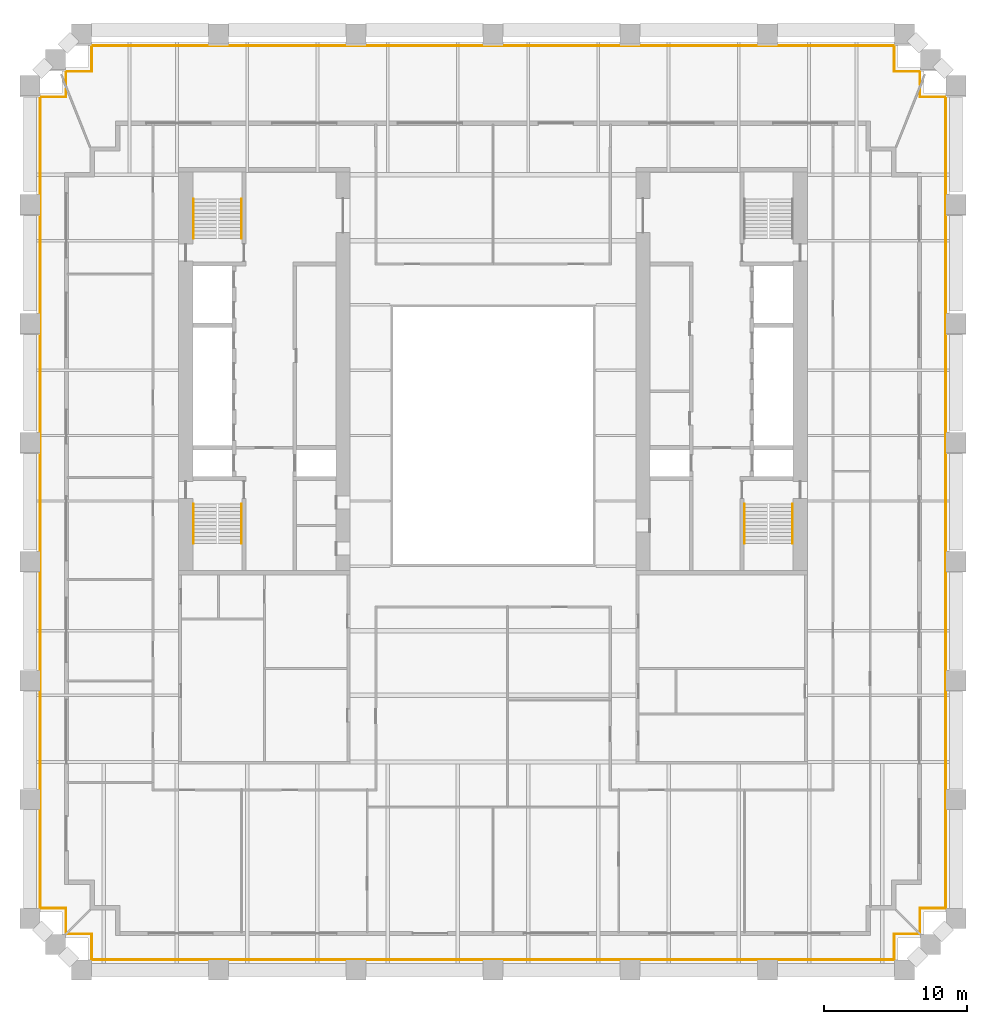
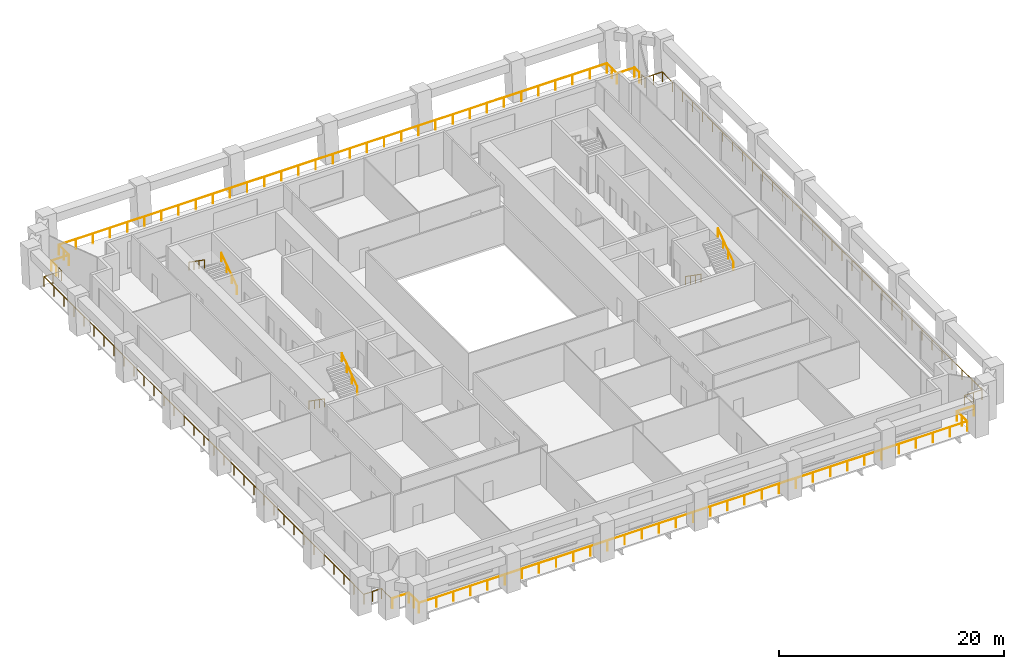
# One storey, part 9 of 10: 10 railings.
"""IFC4 building model written with IfcOpenShell, lengths in metres."""

from ifc_helpers import new_model, si_unit, direction, frame, origin, origin_2d, place, context, subcontext, project, spatial, circle, extrude, material, type_object, element, save


model = new_model("IFC4")

# Units and contexts
model_context = context("Model", 3, precision=1e-05, world=origin(), true_north=direction((0.0, 1.0)))
body_context = subcontext(model_context, "Body", "Model", "MODEL_VIEW")
ifc_project = project(units=[si_unit("LENGTHUNIT", "METRE"), si_unit("AREAUNIT", "SQUARE_METRE"), si_unit("VOLUMEUNIT", "CUBIC_METRE"), si_unit("PLANEANGLEUNIT", "RADIAN"), si_unit("MASSUNIT", "GRAM", prefix="KILO")], contexts=[model_context])

# Site, building, storey
site_placement = place(None, origin())
site = spatial("IfcSite", under=ifc_project, at=site_placement, CompositionType="ELEMENT")
building_placement = place(site_placement, origin())
building = spatial("IfcBuilding", under=site, at=building_placement, Name="Ogive Exchange Tower", CompositionType="ELEMENT")
storey_placement = place(building_placement, frame((0.0, 0.0, 73.199951171875)))
storey = spatial("IfcBuildingStorey", under=building, at=storey_placement, Name="L15", CompositionType="ELEMENT", Elevation=73.199951171875)

# Railings
ifc_material_1 = material(Name="Stainless steel 316", Category="steel")
railing_type_1 = type_object("IfcRailingType", Name="Guard 1100 stainless steel and glass", PredefinedType="GUARDRAIL", material=ifc_material_1)
railing_1_placement = place(storey_placement, frame((29.7880859375, -27.8798828125, -0.050048828125)))
element("IfcRailing", 1, at=railing_1_placement, inside=storey, type_object=railing_type_1, Name="Loggia guard 1", PredefinedType="GUARDRAIL", context=body_context, shape_type="SweptSolid", body=[
    extrude(circle(Radius=0.02392578125, at=origin_2d()), frame((0.0, 0.0, 1.076171875), z_axis=(-1.0, 0.0, 0.0), x_axis=(0.0, -1.0, 0.0)), (0.0, 0.0, 1.0), 1.7080078125),
    extrude(circle(Radius=0.02392578125, at=origin_2d()), frame((-1.7080078125, 0.0, 1.076171875), z_axis=(0.0, -1.0, 0.0), x_axis=(1.0, 0.0, 0.0)), (0.0, 0.0, 1.0), 1.800048828125),
    extrude(circle(Radius=0.02392578125, at=origin_2d()), frame((-1.7080078125, -1.800048828125, 1.076171875), z_axis=(-1.0, 0.0, 0.0), x_axis=(0.0, -1.0, 0.0)), (0.0, 0.0, 1.0), 56.16015625),
    extrude(circle(Radius=0.02392578125, at=origin_2d()), frame((-57.8681640625, -1.800048828125, 1.076171875), z_axis=(0.0, 1.0, 0.0), x_axis=(-1.0, 0.0, 0.0)), (0.0, 0.0, 1.0), 1.800048828125),
    extrude(circle(Radius=0.02392578125, at=origin_2d()), frame((-57.8681640625, 0.0, 1.076171875), z_axis=(-1.0, 0.0, 0.0), x_axis=(0.0, -1.0, 0.0)), (0.0, 0.0, 1.0), 1.7080078125),
    extrude(circle(Radius=0.02099609375, at=origin_2d()), origin(), (0.0, 0.0, 1.0), 1.052001953125),
    extrude(circle(Radius=0.02099609375, at=origin_2d()), frame((-1.7080078125, 0.0, 0.0)), (0.0, 0.0, 1.0), 1.052001953125),
    extrude(circle(Radius=0.02099609375, at=origin_2d()), frame((-1.7080078125, -0.89990234375, 0.0)), (0.0, 0.0, 1.0), 1.052001953125),
    extrude(circle(Radius=0.02099609375, at=origin_2d()), frame((-1.7080078125, -1.800048828125, 0.0)), (0.0, 0.0, 1.0), 1.052001953125),
    extrude(circle(Radius=0.02099609375, at=origin_2d()), frame((-3.462890625, -1.800048828125, 0.0)), (0.0, 0.0, 1.0), 1.052001953125),
    extrude(circle(Radius=0.02099609375, at=origin_2d()), frame((-5.218017578125, -1.800048828125, 0.0)), (0.0, 0.0, 1.0), 1.052001953125),
    extrude(circle(Radius=0.02099609375, at=origin_2d()), frame((-6.97314453125, -1.800048828125, 0.0)), (0.0, 0.0, 1.0), 1.052001953125),
    extrude(circle(Radius=0.02099609375, at=origin_2d()), frame((-8.72802734375, -1.800048828125, 0.0)), (0.0, 0.0, 1.0), 1.052001953125),
    extrude(circle(Radius=0.02099609375, at=origin_2d()), frame((-10.48291015625, -1.800048828125, 0.0)), (0.0, 0.0, 1.0), 1.052001953125),
    extrude(circle(Radius=0.02099609375, at=origin_2d()), frame((-12.238037109375, -1.800048828125, 0.0)), (0.0, 0.0, 1.0), 1.052001953125),
    extrude(circle(Radius=0.02099609375, at=origin_2d()), frame((-13.9931640625, -1.800048828125, 0.0)), (0.0, 0.0, 1.0), 1.052001953125),
    extrude(circle(Radius=0.02099609375, at=origin_2d()), frame((-15.748046875, -1.800048828125, 0.0)), (0.0, 0.0, 1.0), 1.052001953125),
    extrude(circle(Radius=0.02099609375, at=origin_2d()), frame((-17.5029296875, -1.800048828125, 0.0)), (0.0, 0.0, 1.0), 1.052001953125),
    extrude(circle(Radius=0.02099609375, at=origin_2d()), frame((-19.258056640625, -1.800048828125, 0.0)), (0.0, 0.0, 1.0), 1.052001953125),
    extrude(circle(Radius=0.02099609375, at=origin_2d()), frame((-21.01318359375, -1.800048828125, 0.0)), (0.0, 0.0, 1.0), 1.052001953125),
    extrude(circle(Radius=0.02099609375, at=origin_2d()), frame((-22.76806640625, -1.800048828125, 0.0)), (0.0, 0.0, 1.0), 1.052001953125),
    extrude(circle(Radius=0.02099609375, at=origin_2d()), frame((-24.52294921875, -1.800048828125, 0.0)), (0.0, 0.0, 1.0), 1.052001953125),
    extrude(circle(Radius=0.02099609375, at=origin_2d()), frame((-26.278076171875, -1.800048828125, 0.0)), (0.0, 0.0, 1.0), 1.052001953125),
    extrude(circle(Radius=0.02099609375, at=origin_2d()), frame((-28.033203125, -1.800048828125, 0.0)), (0.0, 0.0, 1.0), 1.052001953125),
    extrude(circle(Radius=0.02099609375, at=origin_2d()), frame((-29.7880859375, -1.800048828125, 0.0)), (0.0, 0.0, 1.0), 1.052001953125),
    extrude(circle(Radius=0.02099609375, at=origin_2d()), frame((-31.54296875, -1.800048828125, 0.0)), (0.0, 0.0, 1.0), 1.052001953125),
    extrude(circle(Radius=0.02099609375, at=origin_2d()), frame((-33.298095703125, -1.800048828125, 0.0)), (0.0, 0.0, 1.0), 1.052001953125),
    extrude(circle(Radius=0.02099609375, at=origin_2d()), frame((-35.05322265625, -1.800048828125, 0.0)), (0.0, 0.0, 1.0), 1.052001953125),
    extrude(circle(Radius=0.02099609375, at=origin_2d()), frame((-36.80810546875, -1.800048828125, 0.0)), (0.0, 0.0, 1.0), 1.052001953125),
    extrude(circle(Radius=0.02099609375, at=origin_2d()), frame((-38.56298828125, -1.800048828125, 0.0)), (0.0, 0.0, 1.0), 1.052001953125),
    extrude(circle(Radius=0.02099609375, at=origin_2d()), frame((-40.318115234375, -1.800048828125, 0.0)), (0.0, 0.0, 1.0), 1.052001953125),
    extrude(circle(Radius=0.02099609375, at=origin_2d()), frame((-42.0732421875, -1.800048828125, 0.0)), (0.0, 0.0, 1.0), 1.052001953125),
    extrude(circle(Radius=0.02099609375, at=origin_2d()), frame((-43.828125, -1.800048828125, 0.0)), (0.0, 0.0, 1.0), 1.052001953125),
    extrude(circle(Radius=0.02099609375, at=origin_2d()), frame((-45.5830078125, -1.800048828125, 0.0)), (0.0, 0.0, 1.0), 1.052001953125),
    extrude(circle(Radius=0.02099609375, at=origin_2d()), frame((-47.338134765625, -1.800048828125, 0.0)), (0.0, 0.0, 1.0), 1.052001953125),
    extrude(circle(Radius=0.02099609375, at=origin_2d()), frame((-49.09326171875, -1.800048828125, 0.0)), (0.0, 0.0, 1.0), 1.052001953125),
    extrude(circle(Radius=0.02099609375, at=origin_2d()), frame((-50.84814453125, -1.800048828125, 0.0)), (0.0, 0.0, 1.0), 1.052001953125),
    extrude(circle(Radius=0.02099609375, at=origin_2d()), frame((-52.60302734375, -1.800048828125, 0.0)), (0.0, 0.0, 1.0), 1.052001953125),
    extrude(circle(Radius=0.02099609375, at=origin_2d()), frame((-54.358154296875, -1.800048828125, 0.0)), (0.0, 0.0, 1.0), 1.052001953125),
    extrude(circle(Radius=0.02099609375, at=origin_2d()), frame((-56.11328125, -1.800048828125, 0.0)), (0.0, 0.0, 1.0), 1.052001953125),
    extrude(circle(Radius=0.02099609375, at=origin_2d()), frame((-57.8681640625, -1.800048828125, 0.0)), (0.0, 0.0, 1.0), 1.052001953125),
    extrude(circle(Radius=0.02099609375, at=origin_2d()), frame((-57.8681640625, -0.89990234375, 0.0)), (0.0, 0.0, 1.0), 1.052001953125),
    extrude(circle(Radius=0.02099609375, at=origin_2d()), frame((-57.8681640625, 0.0, 0.0)), (0.0, 0.0, 1.0), 1.052001953125),
    extrude(circle(Radius=0.02099609375, at=origin_2d()), frame((-59.576171875, 0.0, 0.0)), (0.0, 0.0, 1.0), 1.052001953125),
])
railing_2_placement = place(storey_placement, frame((-29.8798828125, -27.7880859375, -0.050048828125)))
element("IfcRailing", 2, at=railing_2_placement, inside=storey, type_object=railing_type_1, Name="Loggia guard 2", PredefinedType="GUARDRAIL", context=body_context, shape_type="SweptSolid", body=[
    extrude(circle(Radius=0.02392578125, at=origin_2d()), frame((0.0, 0.0, 1.076171875), z_axis=(0.0, 1.0, 0.0), x_axis=(-1.0, 0.0, 0.0)), (0.0, 0.0, 1.0), 1.7080078125),
    extrude(circle(Radius=0.02392578125, at=origin_2d()), frame((0.0, 1.7080078125, 1.076171875), z_axis=(-1.0, 0.0, 0.0), x_axis=(0.0, -1.0, 0.0)), (0.0, 0.0, 1.0), 1.800048828125),
    extrude(circle(Radius=0.02392578125, at=origin_2d()), frame((-1.800048828125, 1.7080078125, 1.076171875), z_axis=(0.0, 1.0, 0.0), x_axis=(-1.0, 0.0, 0.0)), (0.0, 0.0, 1.0), 56.760009765625),
    extrude(circle(Radius=0.02392578125, at=origin_2d()), frame((-1.800048828125, 58.468017578125, 1.076171875), z_axis=(1.0, 0.0, 0.0), x_axis=(0.0, 1.0, 0.0)), (0.0, 0.0, 1.0), 1.800048828125),
    extrude(circle(Radius=0.02392578125, at=origin_2d()), frame((0.0, 58.468017578125, 1.076171875), z_axis=(0.0, 1.0, 0.0), x_axis=(-1.0, 0.0, 0.0)), (0.0, 0.0, 1.0), 0.545166015625),
    extrude(circle(Radius=0.02099609375, at=origin_2d()), origin(), (0.0, 0.0, 1.0), 1.052001953125),
    extrude(circle(Radius=0.02099609375, at=origin_2d()), frame((0.0, 1.7080078125, 0.0)), (0.0, 0.0, 1.0), 1.052001953125),
    extrude(circle(Radius=0.02099609375, at=origin_2d()), frame((-0.89990234375, 1.7080078125, 0.0)), (0.0, 0.0, 1.0), 1.052001953125),
    extrude(circle(Radius=0.02099609375, at=origin_2d()), frame((-1.800048828125, 1.7080078125, 0.0)), (0.0, 0.0, 1.0), 1.052001953125),
    extrude(circle(Radius=0.02099609375, at=origin_2d()), frame((-1.800048828125, 3.481689453125, 0.0)), (0.0, 0.0, 1.0), 1.052001953125),
    extrude(circle(Radius=0.02099609375, at=origin_2d()), frame((-1.800048828125, 5.255615234375, 0.0)), (0.0, 0.0, 1.0), 1.052001953125),
    extrude(circle(Radius=0.02099609375, at=origin_2d()), frame((-1.800048828125, 7.029296875, 0.0)), (0.0, 0.0, 1.0), 1.052001953125),
    extrude(circle(Radius=0.02099609375, at=origin_2d()), frame((-1.800048828125, 8.802978515625, 0.0)), (0.0, 0.0, 1.0), 1.052001953125),
    extrude(circle(Radius=0.02099609375, at=origin_2d()), frame((-1.800048828125, 10.57666015625, 0.0)), (0.0, 0.0, 1.0), 1.052001953125),
    extrude(circle(Radius=0.02099609375, at=origin_2d()), frame((-1.800048828125, 12.3505859375, 0.0)), (0.0, 0.0, 1.0), 1.052001953125),
    extrude(circle(Radius=0.02099609375, at=origin_2d()), frame((-1.800048828125, 14.124267578125, 0.0)), (0.0, 0.0, 1.0), 1.052001953125),
    extrude(circle(Radius=0.02099609375, at=origin_2d()), frame((-1.800048828125, 15.89794921875, 0.0)), (0.0, 0.0, 1.0), 1.052001953125),
    extrude(circle(Radius=0.02099609375, at=origin_2d()), frame((-1.800048828125, 17.671875, 0.0)), (0.0, 0.0, 1.0), 1.052001953125),
    extrude(circle(Radius=0.02099609375, at=origin_2d()), frame((-1.800048828125, 19.445556640625, 0.0)), (0.0, 0.0, 1.0), 1.052001953125),
    extrude(circle(Radius=0.02099609375, at=origin_2d()), frame((-1.800048828125, 21.21923828125, 0.0)), (0.0, 0.0, 1.0), 1.052001953125),
    extrude(circle(Radius=0.02099609375, at=origin_2d()), frame((-1.800048828125, 22.992919921875, 0.0)), (0.0, 0.0, 1.0), 1.052001953125),
    extrude(circle(Radius=0.02099609375, at=origin_2d()), frame((-1.800048828125, 24.766845703125, 0.0)), (0.0, 0.0, 1.0), 1.052001953125),
    extrude(circle(Radius=0.02099609375, at=origin_2d()), frame((-1.800048828125, 26.54052734375, 0.0)), (0.0, 0.0, 1.0), 1.052001953125),
    extrude(circle(Radius=0.02099609375, at=origin_2d()), frame((-1.800048828125, 28.314208984375, 0.0)), (0.0, 0.0, 1.0), 1.052001953125),
    extrude(circle(Radius=0.02099609375, at=origin_2d()), frame((-1.800048828125, 30.087890625, 0.0)), (0.0, 0.0, 1.0), 1.052001953125),
    extrude(circle(Radius=0.02099609375, at=origin_2d()), frame((-1.800048828125, 31.86181640625, 0.0)), (0.0, 0.0, 1.0), 1.052001953125),
    extrude(circle(Radius=0.02099609375, at=origin_2d()), frame((-1.800048828125, 33.635498046875, 0.0)), (0.0, 0.0, 1.0), 1.052001953125),
    extrude(circle(Radius=0.02099609375, at=origin_2d()), frame((-1.800048828125, 35.4091796875, 0.0)), (0.0, 0.0, 1.0), 1.052001953125),
    extrude(circle(Radius=0.02099609375, at=origin_2d()), frame((-1.800048828125, 37.18310546875, 0.0)), (0.0, 0.0, 1.0), 1.052001953125),
    extrude(circle(Radius=0.02099609375, at=origin_2d()), frame((-1.800048828125, 38.956787109375, 0.0)), (0.0, 0.0, 1.0), 1.052001953125),
    extrude(circle(Radius=0.02099609375, at=origin_2d()), frame((-1.800048828125, 40.73046875, 0.0)), (0.0, 0.0, 1.0), 1.052001953125),
    extrude(circle(Radius=0.02099609375, at=origin_2d()), frame((-1.800048828125, 42.504150390625, 0.0)), (0.0, 0.0, 1.0), 1.052001953125),
    extrude(circle(Radius=0.02099609375, at=origin_2d()), frame((-1.800048828125, 44.278076171875, 0.0)), (0.0, 0.0, 1.0), 1.052001953125),
    extrude(circle(Radius=0.02099609375, at=origin_2d()), frame((-1.800048828125, 46.0517578125, 0.0)), (0.0, 0.0, 1.0), 1.052001953125),
    extrude(circle(Radius=0.02099609375, at=origin_2d()), frame((-1.800048828125, 47.825439453125, 0.0)), (0.0, 0.0, 1.0), 1.052001953125),
    extrude(circle(Radius=0.02099609375, at=origin_2d()), frame((-1.800048828125, 49.599365234375, 0.0)), (0.0, 0.0, 1.0), 1.052001953125),
    extrude(circle(Radius=0.02099609375, at=origin_2d()), frame((-1.800048828125, 51.373046875, 0.0)), (0.0, 0.0, 1.0), 1.052001953125),
    extrude(circle(Radius=0.02099609375, at=origin_2d()), frame((-1.800048828125, 53.146728515625, 0.0)), (0.0, 0.0, 1.0), 1.052001953125),
    extrude(circle(Radius=0.02099609375, at=origin_2d()), frame((-1.800048828125, 54.92041015625, 0.0)), (0.0, 0.0, 1.0), 1.052001953125),
    extrude(circle(Radius=0.02099609375, at=origin_2d()), frame((-1.800048828125, 56.6943359375, 0.0)), (0.0, 0.0, 1.0), 1.052001953125),
    extrude(circle(Radius=0.02099609375, at=origin_2d()), frame((-1.800048828125, 58.468017578125, 0.0)), (0.0, 0.0, 1.0), 1.052001953125),
    extrude(circle(Radius=0.02099609375, at=origin_2d()), frame((-0.89990234375, 58.468017578125, 0.0)), (0.0, 0.0, 1.0), 1.052001953125),
    extrude(circle(Radius=0.02099609375, at=origin_2d()), frame((0.0, 58.468017578125, 0.0)), (0.0, 0.0, 1.0), 1.052001953125),
    extrude(circle(Radius=0.02099609375, at=origin_2d()), frame((0.0, 59.01318359375, 0.0)), (0.0, 0.0, 1.0), 1.052001953125),
])
railing_3_placement = place(storey_placement, frame((-29.8798828125, 31.574951171875, -0.050048828125)))
element("IfcRailing", 3, at=railing_3_placement, inside=storey, type_object=railing_type_1, Name="Loggia guard 3", PredefinedType="GUARDRAIL", context=body_context, shape_type="SweptSolid", body=[
    extrude(circle(Radius=0.02392578125, at=origin_2d()), frame((0.0, 0.0, 1.076171875), z_axis=(0.0, 1.0, 0.0), x_axis=(-1.0, 0.0, 0.0)), (0.0, 0.0, 1.0), 0.905029296875),
    extrude(circle(Radius=0.02392578125, at=origin_2d()), frame((0.0, 0.905029296875, 1.076171875), z_axis=(1.0, 0.0, 0.0), x_axis=(0.0, 1.0, 0.0)), (0.0, 0.0, 1.0), 1.7998046875),
    extrude(circle(Radius=0.02392578125, at=origin_2d()), frame((1.7998046875, 0.905029296875, 1.076171875), z_axis=(0.0, 1.0, 0.0), x_axis=(-1.0, 0.0, 0.0)), (0.0, 0.0, 1.0), 1.800048828125),
    extrude(circle(Radius=0.02392578125, at=origin_2d()), frame((1.7998046875, 2.705078125, 1.076171875), z_axis=(1.0, 0.0, 0.0), x_axis=(0.0, 1.0, 0.0)), (0.0, 0.0, 1.0), 56.16015625),
    extrude(circle(Radius=0.02392578125, at=origin_2d()), frame((57.9599609375, 2.705078125, 1.076171875), z_axis=(0.0, -1.0, 0.0), x_axis=(1.0, 0.0, 0.0)), (0.0, 0.0, 1.0), 1.800048828125),
    extrude(circle(Radius=0.02392578125, at=origin_2d()), frame((57.9599609375, 0.905029296875, 1.076171875), z_axis=(1.0, 0.0, 0.0), x_axis=(0.0, 1.0, 0.0)), (0.0, 0.0, 1.0), 1.7998046875),
    extrude(circle(Radius=0.02392578125, at=origin_2d()), frame((59.759765625, 0.905029296875, 1.076171875), z_axis=(0.0, -1.0, 0.0), x_axis=(1.0, 0.0, 0.0)), (0.0, 0.0, 1.0), 0.905029296875),
    extrude(circle(Radius=0.02099609375, at=origin_2d()), origin(), (0.0, 0.0, 1.0), 1.052001953125),
    extrude(circle(Radius=0.02099609375, at=origin_2d()), frame((0.0, 0.905029296875, 0.0)), (0.0, 0.0, 1.0), 1.052001953125),
    extrude(circle(Radius=0.02099609375, at=origin_2d()), frame((1.7998046875, 0.905029296875, 0.0)), (0.0, 0.0, 1.0), 1.052001953125),
    extrude(circle(Radius=0.02099609375, at=origin_2d()), frame((1.7998046875, 1.80517578125, 0.0)), (0.0, 0.0, 1.0), 1.052001953125),
    extrude(circle(Radius=0.02099609375, at=origin_2d()), frame((1.7998046875, 2.705078125, 0.0)), (0.0, 0.0, 1.0), 1.052001953125),
    extrude(circle(Radius=0.02099609375, at=origin_2d()), frame((3.5546875, 2.705078125, 0.0)), (0.0, 0.0, 1.0), 1.052001953125),
    extrude(circle(Radius=0.02099609375, at=origin_2d()), frame((5.309814453125, 2.705078125, 0.0)), (0.0, 0.0, 1.0), 1.052001953125),
    extrude(circle(Radius=0.02099609375, at=origin_2d()), frame((7.06494140625, 2.705078125, 0.0)), (0.0, 0.0, 1.0), 1.052001953125),
    extrude(circle(Radius=0.02099609375, at=origin_2d()), frame((8.81982421875, 2.705078125, 0.0)), (0.0, 0.0, 1.0), 1.052001953125),
    extrude(circle(Radius=0.02099609375, at=origin_2d()), frame((10.57470703125, 2.705078125, 0.0)), (0.0, 0.0, 1.0), 1.052001953125),
    extrude(circle(Radius=0.02099609375, at=origin_2d()), frame((12.329833984375, 2.705078125, 0.0)), (0.0, 0.0, 1.0), 1.052001953125),
    extrude(circle(Radius=0.02099609375, at=origin_2d()), frame((14.0849609375, 2.705078125, 0.0)), (0.0, 0.0, 1.0), 1.052001953125),
    extrude(circle(Radius=0.02099609375, at=origin_2d()), frame((15.83984375, 2.705078125, 0.0)), (0.0, 0.0, 1.0), 1.052001953125),
    extrude(circle(Radius=0.02099609375, at=origin_2d()), frame((17.5947265625, 2.705078125, 0.0)), (0.0, 0.0, 1.0), 1.052001953125),
    extrude(circle(Radius=0.02099609375, at=origin_2d()), frame((19.349853515625, 2.705078125, 0.0)), (0.0, 0.0, 1.0), 1.052001953125),
    extrude(circle(Radius=0.02099609375, at=origin_2d()), frame((21.10498046875, 2.705078125, 0.0)), (0.0, 0.0, 1.0), 1.052001953125),
    extrude(circle(Radius=0.02099609375, at=origin_2d()), frame((22.85986328125, 2.705078125, 0.0)), (0.0, 0.0, 1.0), 1.052001953125),
    extrude(circle(Radius=0.02099609375, at=origin_2d()), frame((24.61474609375, 2.705078125, 0.0)), (0.0, 0.0, 1.0), 1.052001953125),
    extrude(circle(Radius=0.02099609375, at=origin_2d()), frame((26.369873046875, 2.705078125, 0.0)), (0.0, 0.0, 1.0), 1.052001953125),
    extrude(circle(Radius=0.02099609375, at=origin_2d()), frame((28.125, 2.705078125, 0.0)), (0.0, 0.0, 1.0), 1.052001953125),
    extrude(circle(Radius=0.02099609375, at=origin_2d()), frame((29.8798828125, 2.705078125, 0.0)), (0.0, 0.0, 1.0), 1.052001953125),
    extrude(circle(Radius=0.02099609375, at=origin_2d()), frame((31.634765625, 2.705078125, 0.0)), (0.0, 0.0, 1.0), 1.052001953125),
    extrude(circle(Radius=0.02099609375, at=origin_2d()), frame((33.389892578125, 2.705078125, 0.0)), (0.0, 0.0, 1.0), 1.052001953125),
    extrude(circle(Radius=0.02099609375, at=origin_2d()), frame((35.14501953125, 2.705078125, 0.0)), (0.0, 0.0, 1.0), 1.052001953125),
    extrude(circle(Radius=0.02099609375, at=origin_2d()), frame((36.89990234375, 2.705078125, 0.0)), (0.0, 0.0, 1.0), 1.052001953125),
    extrude(circle(Radius=0.02099609375, at=origin_2d()), frame((38.65478515625, 2.705078125, 0.0)), (0.0, 0.0, 1.0), 1.052001953125),
    extrude(circle(Radius=0.02099609375, at=origin_2d()), frame((40.409912109375, 2.705078125, 0.0)), (0.0, 0.0, 1.0), 1.052001953125),
    extrude(circle(Radius=0.02099609375, at=origin_2d()), frame((42.1650390625, 2.705078125, 0.0)), (0.0, 0.0, 1.0), 1.052001953125),
    extrude(circle(Radius=0.02099609375, at=origin_2d()), frame((43.919921875, 2.705078125, 0.0)), (0.0, 0.0, 1.0), 1.052001953125),
    extrude(circle(Radius=0.02099609375, at=origin_2d()), frame((45.6748046875, 2.705078125, 0.0)), (0.0, 0.0, 1.0), 1.052001953125),
    extrude(circle(Radius=0.02099609375, at=origin_2d()), frame((47.429931640625, 2.705078125, 0.0)), (0.0, 0.0, 1.0), 1.052001953125),
    extrude(circle(Radius=0.02099609375, at=origin_2d()), frame((49.18505859375, 2.705078125, 0.0)), (0.0, 0.0, 1.0), 1.052001953125),
    extrude(circle(Radius=0.02099609375, at=origin_2d()), frame((50.93994140625, 2.705078125, 0.0)), (0.0, 0.0, 1.0), 1.052001953125),
    extrude(circle(Radius=0.02099609375, at=origin_2d()), frame((52.69482421875, 2.705078125, 0.0)), (0.0, 0.0, 1.0), 1.052001953125),
    extrude(circle(Radius=0.02099609375, at=origin_2d()), frame((54.449951171875, 2.705078125, 0.0)), (0.0, 0.0, 1.0), 1.052001953125),
    extrude(circle(Radius=0.02099609375, at=origin_2d()), frame((56.205078125, 2.705078125, 0.0)), (0.0, 0.0, 1.0), 1.052001953125),
    extrude(circle(Radius=0.02099609375, at=origin_2d()), frame((57.9599609375, 2.705078125, 0.0)), (0.0, 0.0, 1.0), 1.052001953125),
    extrude(circle(Radius=0.02099609375, at=origin_2d()), frame((57.9599609375, 1.80517578125, 0.0)), (0.0, 0.0, 1.0), 1.052001953125),
    extrude(circle(Radius=0.02099609375, at=origin_2d()), frame((57.9599609375, 0.905029296875, 0.0)), (0.0, 0.0, 1.0), 1.052001953125),
    extrude(circle(Radius=0.02099609375, at=origin_2d()), frame((59.759765625, 0.905029296875, 0.0)), (0.0, 0.0, 1.0), 1.052001953125),
    extrude(circle(Radius=0.02099609375, at=origin_2d()), frame((59.759765625, 0.0, 0.0)), (0.0, 0.0, 1.0), 1.052001953125),
])
railing_4_placement = place(storey_placement, frame((29.8798828125, 31.22509765625, -0.050048828125)))
element("IfcRailing", 4, at=railing_4_placement, inside=storey, type_object=railing_type_1, Name="Loggia guard 4", PredefinedType="GUARDRAIL", context=body_context, shape_type="SweptSolid", body=[
    extrude(circle(Radius=0.02392578125, at=origin_2d()), frame((0.0, 0.0, 1.076171875), z_axis=(0.0, -1.0, 0.0), x_axis=(1.0, 0.0, 0.0)), (0.0, 0.0, 1.0), 0.545166015625),
    extrude(circle(Radius=0.02392578125, at=origin_2d()), frame((0.0, -0.545166015625, 1.076171875), z_axis=(1.0, 0.0, 0.0), x_axis=(0.0, 1.0, 0.0)), (0.0, 0.0, 1.0), 1.800048828125),
    extrude(circle(Radius=0.02392578125, at=origin_2d()), frame((1.800048828125, -0.545166015625, 1.076171875), z_axis=(0.0, -1.0, 0.0), x_axis=(1.0, 0.0, 0.0)), (0.0, 0.0, 1.0), 56.760009765625),
    extrude(circle(Radius=0.02392578125, at=origin_2d()), frame((1.800048828125, -57.30517578125, 1.076171875), z_axis=(-1.0, 0.0, 0.0), x_axis=(0.0, -1.0, 0.0)), (0.0, 0.0, 1.0), 1.800048828125),
    extrude(circle(Radius=0.02392578125, at=origin_2d()), frame((0.0, -57.30517578125, 1.076171875), z_axis=(0.0, -1.0, 0.0), x_axis=(1.0, 0.0, 0.0)), (0.0, 0.0, 1.0), 1.7080078125),
    extrude(circle(Radius=0.02099609375, at=origin_2d()), origin(), (0.0, 0.0, 1.0), 1.052001953125),
    extrude(circle(Radius=0.02099609375, at=origin_2d()), frame((0.0, -0.545166015625, 0.0)), (0.0, 0.0, 1.0), 1.052001953125),
    extrude(circle(Radius=0.02099609375, at=origin_2d()), frame((0.89990234375, -0.545166015625, 0.0)), (0.0, 0.0, 1.0), 1.052001953125),
    extrude(circle(Radius=0.02099609375, at=origin_2d()), frame((1.800048828125, -0.545166015625, 0.0)), (0.0, 0.0, 1.0), 1.052001953125),
    extrude(circle(Radius=0.02099609375, at=origin_2d()), frame((1.800048828125, -2.31884765625, 0.0)), (0.0, 0.0, 1.0), 1.052001953125),
    extrude(circle(Radius=0.02099609375, at=origin_2d()), frame((1.800048828125, -4.0927734375, 0.0)), (0.0, 0.0, 1.0), 1.052001953125),
    extrude(circle(Radius=0.02099609375, at=origin_2d()), frame((1.800048828125, -5.866455078125, 0.0)), (0.0, 0.0, 1.0), 1.052001953125),
    extrude(circle(Radius=0.02099609375, at=origin_2d()), frame((1.800048828125, -7.64013671875, 0.0)), (0.0, 0.0, 1.0), 1.052001953125),
    extrude(circle(Radius=0.02099609375, at=origin_2d()), frame((1.800048828125, -9.413818359375, 0.0)), (0.0, 0.0, 1.0), 1.052001953125),
    extrude(circle(Radius=0.02099609375, at=origin_2d()), frame((1.800048828125, -11.187744140625, 0.0)), (0.0, 0.0, 1.0), 1.052001953125),
    extrude(circle(Radius=0.02099609375, at=origin_2d()), frame((1.800048828125, -12.96142578125, 0.0)), (0.0, 0.0, 1.0), 1.052001953125),
    extrude(circle(Radius=0.02099609375, at=origin_2d()), frame((1.800048828125, -14.735107421875, 0.0)), (0.0, 0.0, 1.0), 1.052001953125),
    extrude(circle(Radius=0.02099609375, at=origin_2d()), frame((1.800048828125, -16.509033203125, 0.0)), (0.0, 0.0, 1.0), 1.052001953125),
    extrude(circle(Radius=0.02099609375, at=origin_2d()), frame((1.800048828125, -18.28271484375, 0.0)), (0.0, 0.0, 1.0), 1.052001953125),
    extrude(circle(Radius=0.02099609375, at=origin_2d()), frame((1.800048828125, -20.056396484375, 0.0)), (0.0, 0.0, 1.0), 1.052001953125),
    extrude(circle(Radius=0.02099609375, at=origin_2d()), frame((1.800048828125, -21.830078125, 0.0)), (0.0, 0.0, 1.0), 1.052001953125),
    extrude(circle(Radius=0.02099609375, at=origin_2d()), frame((1.800048828125, -23.60400390625, 0.0)), (0.0, 0.0, 1.0), 1.052001953125),
    extrude(circle(Radius=0.02099609375, at=origin_2d()), frame((1.800048828125, -25.377685546875, 0.0)), (0.0, 0.0, 1.0), 1.052001953125),
    extrude(circle(Radius=0.02099609375, at=origin_2d()), frame((1.800048828125, -27.1513671875, 0.0)), (0.0, 0.0, 1.0), 1.052001953125),
    extrude(circle(Radius=0.02099609375, at=origin_2d()), frame((1.800048828125, -28.92529296875, 0.0)), (0.0, 0.0, 1.0), 1.052001953125),
    extrude(circle(Radius=0.02099609375, at=origin_2d()), frame((1.800048828125, -30.698974609375, 0.0)), (0.0, 0.0, 1.0), 1.052001953125),
    extrude(circle(Radius=0.02099609375, at=origin_2d()), frame((1.800048828125, -32.47265625, 0.0)), (0.0, 0.0, 1.0), 1.052001953125),
    extrude(circle(Radius=0.02099609375, at=origin_2d()), frame((1.800048828125, -34.246337890625, 0.0)), (0.0, 0.0, 1.0), 1.052001953125),
    extrude(circle(Radius=0.02099609375, at=origin_2d()), frame((1.800048828125, -36.020263671875, 0.0)), (0.0, 0.0, 1.0), 1.052001953125),
    extrude(circle(Radius=0.02099609375, at=origin_2d()), frame((1.800048828125, -37.7939453125, 0.0)), (0.0, 0.0, 1.0), 1.052001953125),
    extrude(circle(Radius=0.02099609375, at=origin_2d()), frame((1.800048828125, -39.567626953125, 0.0)), (0.0, 0.0, 1.0), 1.052001953125),
    extrude(circle(Radius=0.02099609375, at=origin_2d()), frame((1.800048828125, -41.34130859375, 0.0)), (0.0, 0.0, 1.0), 1.052001953125),
    extrude(circle(Radius=0.02099609375, at=origin_2d()), frame((1.800048828125, -43.115234375, 0.0)), (0.0, 0.0, 1.0), 1.052001953125),
    extrude(circle(Radius=0.02099609375, at=origin_2d()), frame((1.800048828125, -44.888916015625, 0.0)), (0.0, 0.0, 1.0), 1.052001953125),
    extrude(circle(Radius=0.02099609375, at=origin_2d()), frame((1.800048828125, -46.66259765625, 0.0)), (0.0, 0.0, 1.0), 1.052001953125),
    extrude(circle(Radius=0.02099609375, at=origin_2d()), frame((1.800048828125, -48.4365234375, 0.0)), (0.0, 0.0, 1.0), 1.052001953125),
    extrude(circle(Radius=0.02099609375, at=origin_2d()), frame((1.800048828125, -50.210205078125, 0.0)), (0.0, 0.0, 1.0), 1.052001953125),
    extrude(circle(Radius=0.02099609375, at=origin_2d()), frame((1.800048828125, -51.98388671875, 0.0)), (0.0, 0.0, 1.0), 1.052001953125),
    extrude(circle(Radius=0.02099609375, at=origin_2d()), frame((1.800048828125, -53.757568359375, 0.0)), (0.0, 0.0, 1.0), 1.052001953125),
    extrude(circle(Radius=0.02099609375, at=origin_2d()), frame((1.800048828125, -55.531494140625, 0.0)), (0.0, 0.0, 1.0), 1.052001953125),
    extrude(circle(Radius=0.02099609375, at=origin_2d()), frame((1.800048828125, -57.30517578125, 0.0)), (0.0, 0.0, 1.0), 1.052001953125),
    extrude(circle(Radius=0.02099609375, at=origin_2d()), frame((0.89990234375, -57.30517578125, 0.0)), (0.0, 0.0, 1.0), 1.052001953125),
    extrude(circle(Radius=0.02099609375, at=origin_2d()), frame((0.0, -57.30517578125, 0.0)), (0.0, 0.0, 1.0), 1.052001953125),
    extrude(circle(Radius=0.02099609375, at=origin_2d()), frame((0.0, -59.01318359375, 0.0)), (0.0, 0.0, 1.0), 1.052001953125),
])
ifc_material_2 = material(Name="Stainless steel", Category="steel")
railing_type_2 = type_object("IfcRailingType", Name="Stair handrail 900", PredefinedType="HANDRAIL", material=ifc_material_2)
railing_5_placement = place(storey_placement, frame((-20.949951171875, 2.199951171875, 0.175048828125)))
element("IfcRailing", 5, at=railing_5_placement, inside=storey, type_object=railing_type_2, Name="L15 ST1 stair handrail 1", PredefinedType="HANDRAIL", context=body_context, shape_type="SweptSolid", body=[
    extrude(circle(Radius=0.02392578125, at=origin_2d()), frame((0.0, 0.0, 0.8759765625), z_axis=(0.0, -0.819225086817, 0.573472106672), x_axis=(1.0, 0.0, 0.0)), (0.0, 0.0, 1.0), 3.35693359375),
    extrude(circle(Radius=0.02099609375, at=origin_2d()), origin(), (0.0, 0.0, 1.0), 0.851806640625),
    extrude(circle(Radius=0.02099609375, at=origin_2d()), frame((0.0, -0.916748046875, 0.6416015625)), (0.0, 0.0, 1.0), 0.851806640625),
    extrude(circle(Radius=0.02099609375, at=origin_2d()), frame((0.0, -1.833251953125, 1.283447265625)), (0.0, 0.0, 1.0), 0.851806640625),
    extrude(circle(Radius=0.02099609375, at=origin_2d()), frame((0.0, -2.75, 1.925048828125)), (0.0, 0.0, 1.0), 0.851806640625),
])
railing_6_placement = place(storey_placement, frame((-17.60009765625, -0.550048828125, 2.275146484375)))
element("IfcRailing", 6, at=railing_6_placement, inside=storey, type_object=railing_type_2, Name="L15 ST1 stair handrail 2", PredefinedType="HANDRAIL", context=body_context, shape_type="SweptSolid", body=[
    extrude(circle(Radius=0.02392578125, at=origin_2d()), frame((0.0, 0.0, 0.8759765625), z_axis=(0.0, 0.819259255306, 0.573423292687), x_axis=(-1.0, 0.0, 0.0)), (0.0, 0.0, 1.0), 3.356689453125),
    extrude(circle(Radius=0.02099609375, at=origin_2d()), origin(), (0.0, 0.0, 1.0), 0.851806640625),
    extrude(circle(Radius=0.02099609375, at=origin_2d()), frame((0.0, 0.916748046875, 0.6416015625)), (0.0, 0.0, 1.0), 0.851806640625),
    extrude(circle(Radius=0.02099609375, at=origin_2d()), frame((0.0, 1.833251953125, 1.283203125)), (0.0, 0.0, 1.0), 0.851806640625),
    extrude(circle(Radius=0.02099609375, at=origin_2d()), frame((0.0, 2.75, 1.9248046875)), (0.0, 0.0, 1.0), 0.851806640625),
])
railing_7_placement = place(storey_placement, frame((-17.60009765625, 20.800048828125, 0.175048828125)))
element("IfcRailing", 7, at=railing_7_placement, inside=storey, type_object=railing_type_2, Name="L15 ST2 stair handrail 1", PredefinedType="HANDRAIL", context=body_context, shape_type="SweptSolid", body=[
    extrude(circle(Radius=0.02392578125, at=origin_2d()), frame((0.0, 0.0, 0.8759765625), z_axis=(0.0, 0.819225086817, 0.573472106672), x_axis=(-1.0, 0.0, 0.0)), (0.0, 0.0, 1.0), 3.35693359375),
    extrude(circle(Radius=0.02099609375, at=origin_2d()), origin(), (0.0, 0.0, 1.0), 0.851806640625),
    extrude(circle(Radius=0.02099609375, at=origin_2d()), frame((0.0, 0.916748046875, 0.6416015625)), (0.0, 0.0, 1.0), 0.851806640625),
    extrude(circle(Radius=0.02099609375, at=origin_2d()), frame((0.0, 1.833251953125, 1.283447265625)), (0.0, 0.0, 1.0), 0.851806640625),
    extrude(circle(Radius=0.02099609375, at=origin_2d()), frame((0.0, 2.75, 1.925048828125)), (0.0, 0.0, 1.0), 0.851806640625),
])
railing_8_placement = place(storey_placement, frame((-20.949951171875, 23.550048828125, 2.275146484375)))
element("IfcRailing", 8, at=railing_8_placement, inside=storey, type_object=railing_type_2, Name="L15 ST2 stair handrail 2", PredefinedType="HANDRAIL", context=body_context, shape_type="SweptSolid", body=[
    extrude(circle(Radius=0.02392578125, at=origin_2d()), frame((0.0, 0.0, 0.8759765625), z_axis=(0.0, -0.819259255306, 0.573423292687), x_axis=(1.0, 0.0, 0.0)), (0.0, 0.0, 1.0), 3.356689453125),
    extrude(circle(Radius=0.02099609375, at=origin_2d()), origin(), (0.0, 0.0, 1.0), 0.851806640625),
    extrude(circle(Radius=0.02099609375, at=origin_2d()), frame((0.0, -0.916748046875, 0.6416015625)), (0.0, 0.0, 1.0), 0.851806640625),
    extrude(circle(Radius=0.02099609375, at=origin_2d()), frame((0.0, -1.833251953125, 1.283203125)), (0.0, 0.0, 1.0), 0.851806640625),
    extrude(circle(Radius=0.02099609375, at=origin_2d()), frame((0.0, -2.75, 1.9248046875)), (0.0, 0.0, 1.0), 0.851806640625),
])
railing_9_placement = place(storey_placement, frame((17.60009765625, 2.199951171875, 0.175048828125)))
element("IfcRailing", 9, at=railing_9_placement, inside=storey, type_object=railing_type_2, Name="L15 ST3 stair handrail 1", PredefinedType="HANDRAIL", context=body_context, shape_type="SweptSolid", body=[
    extrude(circle(Radius=0.02392578125, at=origin_2d()), frame((0.0, 0.0, 0.8759765625), z_axis=(0.0, -0.819225086817, 0.573472106672), x_axis=(1.0, 0.0, 0.0)), (0.0, 0.0, 1.0), 3.35693359375),
    extrude(circle(Radius=0.02099609375, at=origin_2d()), origin(), (0.0, 0.0, 1.0), 0.851806640625),
    extrude(circle(Radius=0.02099609375, at=origin_2d()), frame((0.0, -0.916748046875, 0.6416015625)), (0.0, 0.0, 1.0), 0.851806640625),
    extrude(circle(Radius=0.02099609375, at=origin_2d()), frame((0.0, -1.833251953125, 1.283447265625)), (0.0, 0.0, 1.0), 0.851806640625),
    extrude(circle(Radius=0.02099609375, at=origin_2d()), frame((0.0, -2.75, 1.925048828125)), (0.0, 0.0, 1.0), 0.851806640625),
])
railing_10_placement = place(storey_placement, frame((20.949951171875, -0.550048828125, 2.275146484375)))
element("IfcRailing", 10, at=railing_10_placement, inside=storey, type_object=railing_type_2, Name="L15 ST3 stair handrail 2", PredefinedType="HANDRAIL", context=body_context, shape_type="SweptSolid", body=[
    extrude(circle(Radius=0.02392578125, at=origin_2d()), frame((0.0, 0.0, 0.8759765625), z_axis=(0.0, 0.819259255306, 0.573423292687), x_axis=(-1.0, 0.0, 0.0)), (0.0, 0.0, 1.0), 3.356689453125),
    extrude(circle(Radius=0.02099609375, at=origin_2d()), origin(), (0.0, 0.0, 1.0), 0.851806640625),
    extrude(circle(Radius=0.02099609375, at=origin_2d()), frame((0.0, 0.916748046875, 0.6416015625)), (0.0, 0.0, 1.0), 0.851806640625),
    extrude(circle(Radius=0.02099609375, at=origin_2d()), frame((0.0, 1.833251953125, 1.283203125)), (0.0, 0.0, 1.0), 0.851806640625),
    extrude(circle(Radius=0.02099609375, at=origin_2d()), frame((0.0, 2.75, 1.9248046875)), (0.0, 0.0, 1.0), 0.851806640625),
])

save(model, "model.ifc")
